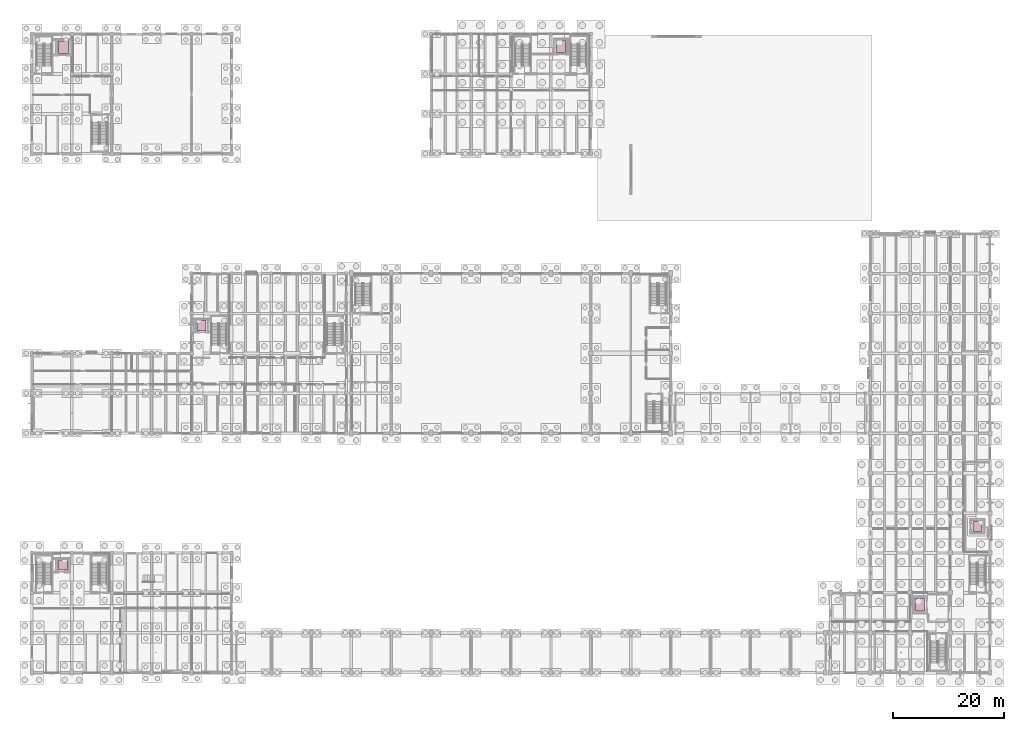
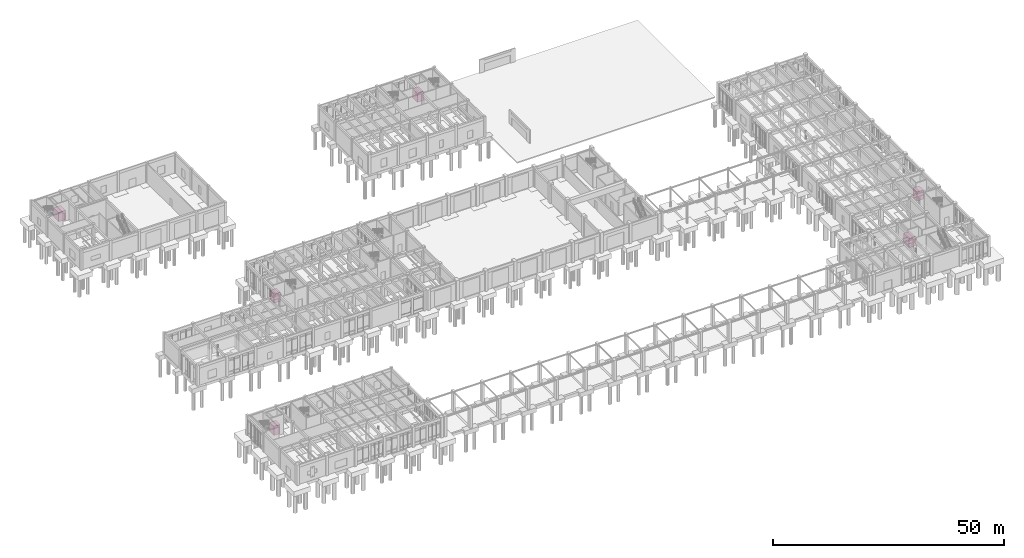
# One storey, part 93 of 93: 6 transport elements.
"""IFC4 building model written with IfcOpenShell, lengths in metres."""

from ifc_helpers import new_model, si_unit, direction, frame, origin, origin_2d, place, context, subcontext, project, spatial, rectangle, extrude, material, type_object, element, save


model = new_model("IFC4")

# Units and contexts
model_context = context("Model", 3, precision=1e-05, world=origin(), true_north=direction((0.0, 1.0)))
body_context = subcontext(model_context, "Body", "Model", "MODEL_VIEW")
ifc_project = project(units=[si_unit("LENGTHUNIT", "METRE"), si_unit("AREAUNIT", "SQUARE_METRE"), si_unit("VOLUMEUNIT", "CUBIC_METRE"), si_unit("PLANEANGLEUNIT", "RADIAN"), si_unit("MASSUNIT", "GRAM", prefix="KILO")], contexts=[model_context])

# Site, building, storey
site_placement = place(None, origin())
site = spatial("IfcSite", under=ifc_project, at=site_placement, CompositionType="ELEMENT")
building_placement = place(site_placement, origin())
building = spatial("IfcBuilding", under=site, at=building_placement, Name="Koriwan Promenade Central Fire Station", CompositionType="ELEMENT")
storey_placement = place(building_placement, origin())
storey = spatial("IfcBuildingStorey", under=building, at=storey_placement, Name="L00", CompositionType="ELEMENT", Elevation=0.0)

# Transport elements
ifc_material = material(Name="Brushed stainless steel and safety glass cab", Category="steel")
transport_element_type_1 = type_object("IfcTransportElementType", Name="Lift_FireStretcher_1600x2400", PredefinedType="ELEVATOR", material=ifc_material)
transport_element_1_placement = place(storey_placement, frame((160.199951171875, 12.300048828125, 0.0), z_axis=(0.0, 0.0, 1.0), x_axis=(1.0, 0.0, 0.0)))
element("IfcTransportElement", 1, at=transport_element_1_placement, inside=storey, type_object=transport_element_type_1, Name="Elevator Car LF01", PredefinedType="ELEVATOR", context=body_context, shape_type="SweptSolid", body=[
    extrude(rectangle(XDim=1.60009765625, YDim=2.39990234375, at=origin_2d()), origin(), (0.0, 0.0, 1.0), 2.39990234375),
])
transport_element_type_2 = type_object("IfcTransportElementType", Name="Lift_FireTower_1600x2100", PredefinedType="ELEVATOR", material=ifc_material)
transport_element_2_placement = place(storey_placement, frame((95.39990234375, 112.949951171875, 0.0), z_axis=(0.0, 0.0, 1.0), x_axis=(1.0, 0.0, 0.0)))
element("IfcTransportElement", 2, at=transport_element_2_placement, inside=storey, type_object=transport_element_type_2, Name="Elevator Car LF02", PredefinedType="ELEVATOR", context=body_context, shape_type="SweptSolid", body=[
    extrude(rectangle(XDim=1.60009765625, YDim=2.10009765625, at=origin_2d()), origin(), (0.0, 0.0, 1.0), 2.39990234375),
])
transport_element_type_3 = type_object("IfcTransportElementType", Name="Lift_Goods_1800x2200", PredefinedType="ELEVATOR", material=ifc_material)
transport_element_3_placement = place(storey_placement, frame((5.699951171875, 112.800048828125, 0.0), z_axis=(0.0, 0.0, 1.0), x_axis=(1.0, 0.0, 0.0)))
element("IfcTransportElement", 3, at=transport_element_3_placement, inside=storey, type_object=transport_element_type_3, Name="Elevator Car LG01", PredefinedType="ELEVATOR", context=body_context, shape_type="SweptSolid", body=[
    extrude(rectangle(XDim=1.800048828125, YDim=2.199951171875, at=origin_2d()), origin(), (0.0, 0.0, 1.0), 2.39990234375),
])
transport_element_type_4 = type_object("IfcTransportElementType", Name="Lift_Passenger_1600x1800", PredefinedType="ELEVATOR", material=ifc_material)
for number, where, z_axis, x_axis, name in (
    (4, (170.5, 26.39990234375, 0.0), (0.0, 0.0, 1.0), (1.0, 0.0, 0.0), "Elevator Car LP01"),
    (5, (30.60009765625, 62.60009765625, 0.0), (0.0, 0.0, 1.0), (1.0, 0.0, 0.0), "Elevator Car LP02"),
    (6, (5.60009765625, 19.39990234375, 0.0), (0.0, 0.0, 1.0), (1.0, 0.0, 0.0), "Elevator Car LP03"),
):
    element("IfcTransportElement", number, at=place(storey_placement, frame(where, z_axis=z_axis, x_axis=x_axis)), inside=storey, type_object=transport_element_type_4, Name=name, PredefinedType="ELEVATOR", context=body_context, shape_type="SweptSolid", body=[
        extrude(rectangle(XDim=1.60009765625, YDim=1.800048828125, at=origin_2d()), origin(), (0.0, 0.0, 1.0), 2.39990234375),
    ])

save(model, "model.ifc")
